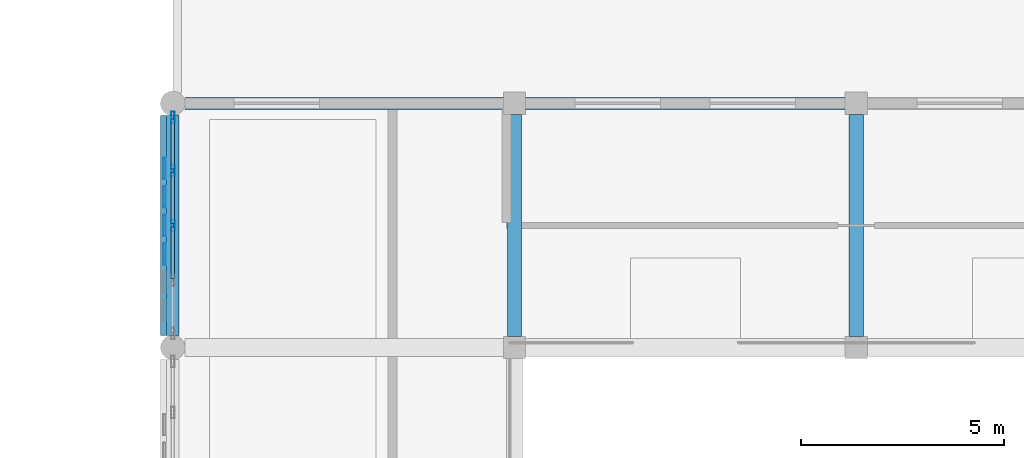
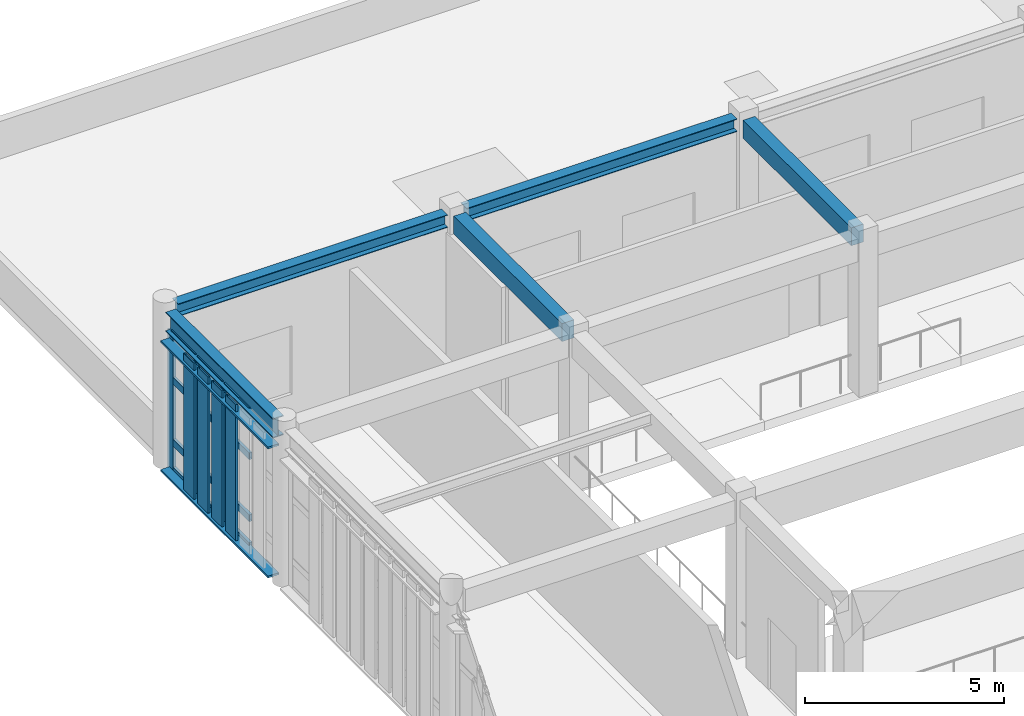
# One storey, part 31 of 77: 21 members, 5 beams, 1 element without a shape of its own.
"""IFC4 building model written with IfcOpenShell, lengths in metres."""

from ifc_helpers import new_model, si_unit, direction, frame, origin, origin_2d, place, context, subcontext, project, spatial, rectangle, hollow_rectangle, i_section, extrude, material, layer, layer_set, material_profile, profile_set, type_object, element, aggregate, save


model = new_model("IFC4")

# Units and contexts
model_context = context("Model", 3, precision=1e-05, world=origin(), true_north=direction((0.0, 1.0)))
body_context = subcontext(model_context, "Body", "Model", "MODEL_VIEW")
ifc_project = project(units=[si_unit("LENGTHUNIT", "METRE"), si_unit("AREAUNIT", "SQUARE_METRE"), si_unit("VOLUMEUNIT", "CUBIC_METRE"), si_unit("PLANEANGLEUNIT", "RADIAN"), si_unit("MASSUNIT", "GRAM", prefix="KILO")], contexts=[model_context])

# Site, building, storey
site_placement = place(None, origin())
site = spatial("IfcSite", under=ifc_project, at=site_placement, CompositionType="ELEMENT")
building_placement = place(site_placement, origin())
building = spatial("IfcBuilding", under=site, at=building_placement, Name="Krzemoval Escarpment Law Courts", CompositionType="ELEMENT")
storey_placement = place(building_placement, frame((0.0, 0.0, 15.300048828125)))
storey = spatial("IfcBuildingStorey", under=building, at=storey_placement, Name="L03", CompositionType="ELEMENT", Elevation=15.300048828125)

# Beams
ifc_material_1 = material(Name="Concrete C40/50", Category="concrete")
ifc_material_profile_1 = material_profile(ifc_material_1, rectangle(XDim=0.35009765625, YDim=0.550048828125, at=origin_2d()), Name="RCB 350x550")
ifc_profile_set_1 = profile_set([ifc_material_profile_1], Name="Concrete C40/50")
beam_type_1 = type_object("IfcBeamType", Name="BM-RC-350x550", PredefinedType="BEAM", material=ifc_profile_set_1)
for number, where, z_axis, x_axis, name in (
    (1, (16.800048828125, 93.875, 4.56494140625), (0.0, 1.0, 0.0), (-1.0, 0.0, 0.0), "Beam FG-L03-2239"),
    (2, (25.199951171875, 93.875, 4.56494140625), (0.0, 1.0, 0.0), (-1.0, 0.0, 0.0), "Beam FG-L03-2245"),
):
    element("IfcBeam", number, at=place(storey_placement, frame(where, z_axis=z_axis, x_axis=x_axis)), inside=storey, type_object=beam_type_1, Name=name, PredefinedType="BEAM", context=body_context, shape_type="SweptSolid", body=[
        extrude(rectangle(XDim=0.35009765625, YDim=0.550048828125, at=origin_2d()), origin(), (0.0, 0.0, 1.0), 5.449951171875),
    ])

# Curtain wall, members
ifc_material_2 = material(Name="Aluminium 6063-T6", Category="aluminium")
ifc_layer = layer(ifc_material_2, 0.280029296875)
ifc_layer_set = layer_set([ifc_layer], Name="Aluminium 6063-T6")
curtain_wall_type = type_object("IfcCurtainWallType", Name="CW-HALL-5100", PredefinedType="USERDEFINED", material=ifc_layer_set)
curtain_wall_placement = place(storey_placement, origin())
curtain_wall = element("IfcCurtainWall", 3, at=curtain_wall_placement, inside=storey, type_object=curtain_wall_type, Name="Unitised Curtain Wall FCW-L03-104", ObjectType="UNITISED_CURTAIN_WALL", PredefinedType="USERDEFINED")
ifc_material_3 = material(Name="Aluminium 6063-T6", Category="aluminium")
ifc_material_profile_2 = material_profile(ifc_material_3, hollow_rectangle(XDim=0.0849609375, YDim=0.280029296875, WallThickness=0.005615234375, at=origin_2d()), Name="ALU M85x280")
ifc_profile_set_2 = profile_set([ifc_material_profile_2], Name="Aluminium 6063-T6")
member_type_1 = type_object("IfcMemberType", Name="CWM-85x280", PredefinedType="MULLION", material=ifc_profile_set_2)
member_1_placement = place(storey_placement, frame((8.39990234375, 96.60009765625, 0.0), z_axis=(0.0, 0.0, 1.0), x_axis=(-1.0, 0.0, 0.0)))
member_1 = element("IfcMember", 4, at=member_1_placement, type_object=member_type_1, Name="FCW-L03-104 mullion 3", PredefinedType="MULLION", context=body_context, shape_type="SweptSolid", body=[
    extrude(hollow_rectangle(XDim=0.0849609375, YDim=0.280029296875, WallThickness=0.005615234375, at=origin_2d()), origin(), (0.0, 0.0, 1.0), 4.239990234375),
])
member_2_placement = place(storey_placement, frame((8.39990234375, 97.949951171875, 0.0), z_axis=(0.0, 0.0, 1.0), x_axis=(-1.0, 0.0, 0.0)))
member_2 = element("IfcMember", 5, at=member_2_placement, type_object=member_type_1, Name="FCW-L03-104 mullion 4", PredefinedType="MULLION", context=body_context, shape_type="SweptSolid", body=[
    extrude(hollow_rectangle(XDim=0.0849609375, YDim=0.280029296875, WallThickness=0.005615234375, at=origin_2d()), origin(), (0.0, 0.0, 1.0), 4.239990234375),
])
member_3_placement = place(storey_placement, frame((8.39990234375, 99.257568359375, 0.0), z_axis=(0.0, 0.0, 1.0), x_axis=(-1.0, 0.0, 0.0)))
member_3 = element("IfcMember", 6, at=member_3_placement, type_object=member_type_1, Name="FCW-L03-104 mullion 5", PredefinedType="MULLION", context=body_context, shape_type="SweptSolid", body=[
    extrude(hollow_rectangle(XDim=0.0849609375, YDim=0.280029296875, WallThickness=0.005615234375, at=origin_2d()), origin(), (0.0, 0.0, 1.0), 4.239990234375),
])
ifc_material_4 = material(Name="Aluminium 6063-T6", Category="aluminium")
ifc_material_profile_3 = material_profile(ifc_material_4, hollow_rectangle(XDim=0.0849609375, YDim=0.2099609375, WallThickness=0.005615234375, at=origin_2d()), Name="ALU T85x210")
ifc_profile_set_3 = profile_set([ifc_material_profile_3], Name="Aluminium 6063-T6")
member_type_2 = type_object("IfcMemberType", Name="CWT-85x210", PredefinedType="USERDEFINED", material=ifc_profile_set_3)
member_4_placement = place(storey_placement, frame((8.39990234375, 95.29248046875, 0.04248046875), z_axis=(0.0, 1.0, 0.0), x_axis=(-1.0, 0.0, 0.0)))
member_4 = element("IfcMember", 7, at=member_4_placement, type_object=member_type_2, Name="FCW-L03-104 transom 2.1", ObjectType="TRANSOM", PredefinedType="USERDEFINED", context=body_context, shape_type="SweptSolid", body=[
    extrude(hollow_rectangle(XDim=0.0849609375, YDim=0.2099609375, WallThickness=0.005615234375, at=origin_2d()), origin(), (0.0, 0.0, 1.0), 1.26513671875),
])
member_5_placement = place(storey_placement, frame((8.39990234375, 95.29248046875, 0.89990234375), z_axis=(0.0, 1.0, 0.0), x_axis=(-1.0, 0.0, 0.0)))
member_5 = element("IfcMember", 8, at=member_5_placement, type_object=member_type_2, Name="FCW-L03-104 transom 2.2", ObjectType="TRANSOM", PredefinedType="USERDEFINED", context=body_context, shape_type="SweptSolid", body=[
    extrude(hollow_rectangle(XDim=0.0849609375, YDim=0.2099609375, WallThickness=0.005615234375, at=origin_2d()), origin(), (0.0, 0.0, 1.0), 1.26513671875),
])
member_6_placement = place(storey_placement, frame((8.39990234375, 95.29248046875, 2.800048828125), z_axis=(0.0, 1.0, 0.0), x_axis=(-1.0, 0.0, 0.0)))
member_6 = element("IfcMember", 9, at=member_6_placement, type_object=member_type_2, Name="FCW-L03-104 transom 2.3", ObjectType="TRANSOM", PredefinedType="USERDEFINED", context=body_context, shape_type="SweptSolid", body=[
    extrude(hollow_rectangle(XDim=0.0849609375, YDim=0.2099609375, WallThickness=0.005615234375, at=origin_2d()), origin(), (0.0, 0.0, 1.0), 1.26513671875),
])
member_7_placement = place(storey_placement, frame((8.39990234375, 95.29248046875, 4.197509765625), z_axis=(0.0, 1.0, 0.0), x_axis=(-1.0, 0.0, 0.0)))
member_7 = element("IfcMember", 10, at=member_7_placement, type_object=member_type_2, Name="FCW-L03-104 transom 2.4", ObjectType="TRANSOM", PredefinedType="USERDEFINED", context=body_context, shape_type="SweptSolid", body=[
    extrude(hollow_rectangle(XDim=0.0849609375, YDim=0.2099609375, WallThickness=0.005615234375, at=origin_2d()), origin(), (0.0, 0.0, 1.0), 1.26513671875),
])
member_8_placement = place(storey_placement, frame((8.39990234375, 96.642578125, 0.04248046875), z_axis=(0.0, 1.0, 0.0), x_axis=(-1.0, 0.0, 0.0)))
member_8 = element("IfcMember", 11, at=member_8_placement, type_object=member_type_2, Name="FCW-L03-104 transom 3.1", ObjectType="TRANSOM", PredefinedType="USERDEFINED", context=body_context, shape_type="SweptSolid", body=[
    extrude(hollow_rectangle(XDim=0.0849609375, YDim=0.2099609375, WallThickness=0.005615234375, at=origin_2d()), origin(), (0.0, 0.0, 1.0), 1.264892578125),
])
member_9_placement = place(storey_placement, frame((8.39990234375, 96.642578125, 0.89990234375), z_axis=(0.0, 1.0, 0.0), x_axis=(-1.0, 0.0, 0.0)))
member_9 = element("IfcMember", 12, at=member_9_placement, type_object=member_type_2, Name="FCW-L03-104 transom 3.2", ObjectType="TRANSOM", PredefinedType="USERDEFINED", context=body_context, shape_type="SweptSolid", body=[
    extrude(hollow_rectangle(XDim=0.0849609375, YDim=0.2099609375, WallThickness=0.005615234375, at=origin_2d()), origin(), (0.0, 0.0, 1.0), 1.264892578125),
])
member_10_placement = place(storey_placement, frame((8.39990234375, 96.642578125, 2.800048828125), z_axis=(0.0, 1.0, 0.0), x_axis=(-1.0, 0.0, 0.0)))
member_10 = element("IfcMember", 13, at=member_10_placement, type_object=member_type_2, Name="FCW-L03-104 transom 3.3", ObjectType="TRANSOM", PredefinedType="USERDEFINED", context=body_context, shape_type="SweptSolid", body=[
    extrude(hollow_rectangle(XDim=0.0849609375, YDim=0.2099609375, WallThickness=0.005615234375, at=origin_2d()), origin(), (0.0, 0.0, 1.0), 1.264892578125),
])
member_11_placement = place(storey_placement, frame((8.39990234375, 96.642578125, 4.197509765625), z_axis=(0.0, 1.0, 0.0), x_axis=(-1.0, 0.0, 0.0)))
member_11 = element("IfcMember", 14, at=member_11_placement, type_object=member_type_2, Name="FCW-L03-104 transom 3.4", ObjectType="TRANSOM", PredefinedType="USERDEFINED", context=body_context, shape_type="SweptSolid", body=[
    extrude(hollow_rectangle(XDim=0.0849609375, YDim=0.2099609375, WallThickness=0.005615234375, at=origin_2d()), origin(), (0.0, 0.0, 1.0), 1.264892578125),
])
member_12_placement = place(storey_placement, frame((8.39990234375, 97.992431640625, 0.04248046875), z_axis=(0.0, 1.0, 0.0), x_axis=(-1.0, 0.0, 0.0)))
member_12 = element("IfcMember", 15, at=member_12_placement, type_object=member_type_2, Name="FCW-L03-104 transom 4.1", ObjectType="TRANSOM", PredefinedType="USERDEFINED", context=body_context, shape_type="SweptSolid", body=[
    extrude(hollow_rectangle(XDim=0.0849609375, YDim=0.2099609375, WallThickness=0.005615234375, at=origin_2d()), origin(), (0.0, 0.0, 1.0), 1.22265625),
])
member_13_placement = place(storey_placement, frame((8.39990234375, 97.992431640625, 0.89990234375), z_axis=(0.0, 1.0, 0.0), x_axis=(-1.0, 0.0, 0.0)))
member_13 = element("IfcMember", 16, at=member_13_placement, type_object=member_type_2, Name="FCW-L03-104 transom 4.2", ObjectType="TRANSOM", PredefinedType="USERDEFINED", context=body_context, shape_type="SweptSolid", body=[
    extrude(hollow_rectangle(XDim=0.0849609375, YDim=0.2099609375, WallThickness=0.005615234375, at=origin_2d()), origin(), (0.0, 0.0, 1.0), 1.22265625),
])
member_14_placement = place(storey_placement, frame((8.39990234375, 97.992431640625, 2.800048828125), z_axis=(0.0, 1.0, 0.0), x_axis=(-1.0, 0.0, 0.0)))
member_14 = element("IfcMember", 17, at=member_14_placement, type_object=member_type_2, Name="FCW-L03-104 transom 4.3", ObjectType="TRANSOM", PredefinedType="USERDEFINED", context=body_context, shape_type="SweptSolid", body=[
    extrude(hollow_rectangle(XDim=0.0849609375, YDim=0.2099609375, WallThickness=0.005615234375, at=origin_2d()), origin(), (0.0, 0.0, 1.0), 1.22265625),
])
member_15_placement = place(storey_placement, frame((8.39990234375, 97.992431640625, 4.197509765625), z_axis=(0.0, 1.0, 0.0), x_axis=(-1.0, 0.0, 0.0)))
member_15 = element("IfcMember", 18, at=member_15_placement, type_object=member_type_2, Name="FCW-L03-104 transom 4.4", ObjectType="TRANSOM", PredefinedType="USERDEFINED", context=body_context, shape_type="SweptSolid", body=[
    extrude(hollow_rectangle(XDim=0.0849609375, YDim=0.2099609375, WallThickness=0.005615234375, at=origin_2d()), origin(), (0.0, 0.0, 1.0), 1.22265625),
])
aggregate(curtain_wall, [member_1, member_2, member_3, member_4, member_5, member_6, member_7, member_8, member_9, member_10, member_11, member_12, member_13, member_14, member_15])

# Members
ifc_material_5 = material(Name="Anodised Aluminium Alloy 6063-T6", Category="aluminium")
ifc_material_profile_4 = material_profile(ifc_material_5, hollow_rectangle(XDim=0.06005859375, YDim=0.320068359375, WallThickness=0.00390625, at=origin_2d()), Name="ALU LVR 60x320")
ifc_profile_set_4 = profile_set([ifc_material_profile_4], Name="Anodised Aluminium Alloy 6063-T6")
member_type_3 = type_object("IfcMemberType", Name="LVR-ALU-320", PredefinedType="USERDEFINED", material=ifc_profile_set_4)
for number, where, z_axis, x_axis, name in (
    (19, (8.260009765625, 93.89990234375, 0.030029296875), (0.0, 1.0, 0.0), (0.0, 0.0, 1.0), "Sunshade Support Rail FSR-L03-0682"),
    (20, (8.260009765625, 93.89990234375, 3.989990234375), (0.0, 1.0, 0.0), (0.0, 0.0, 1.0), "Sunshade Support Rail FSR-L03-0683"),
):
    element("IfcMember", number, at=place(storey_placement, frame(where, z_axis=z_axis, x_axis=x_axis)), inside=storey, type_object=member_type_3, Name=name, ObjectType="SUNSHADE_LOUVRE", PredefinedType="USERDEFINED", context=body_context, shape_type="SweptSolid", body=[
        extrude(hollow_rectangle(XDim=0.06005859375, YDim=0.320068359375, WallThickness=0.00390625, at=origin_2d()), origin(), (0.0, 0.0, 1.0), 5.400146484375),
    ])
ifc_material_6 = material(Name="Anodised Aluminium Alloy 6063-T6", Category="aluminium")
ifc_material_profile_5 = material_profile(ifc_material_6, hollow_rectangle(XDim=0.06494140625, YDim=0.52001953125, WallThickness=0.00439453125, at=origin_2d()), Name="ALU LVR 65x520")
ifc_profile_set_5 = profile_set([ifc_material_profile_5], Name="Anodised Aluminium Alloy 6063-T6")
member_type_4 = type_object("IfcMemberType", Name="LVR-ALU-520", PredefinedType="USERDEFINED", material=ifc_profile_set_5)
for number, where, z_axis, x_axis, name in (
    (21, (8.199951171875, 95.89990234375, 0.06005859375), (0.0, 0.0, 1.0), (1.0, 0.0, 0.0), "Sunshade Louvre Fin FLV-L03-0686"),
    (22, (8.199951171875, 96.60009765625, 0.06005859375), (0.0, 0.0, 1.0), (1.0, 0.0, 0.0), "Sunshade Louvre Fin FLV-L03-0687"),
    (23, (8.199951171875, 97.300048828125, 0.06005859375), (0.0, 0.0, 1.0), (1.0, 0.0, 0.0), "Sunshade Louvre Fin FLV-L03-0688"),
    (24, (8.199951171875, 98.0, 0.06005859375), (0.0, 0.0, 1.0), (1.0, 0.0, 0.0), "Sunshade Louvre Fin FLV-L03-0689"),
):
    element("IfcMember", number, at=place(storey_placement, frame(where, z_axis=z_axis, x_axis=x_axis)), inside=storey, type_object=member_type_4, Name=name, ObjectType="SUNSHADE_LOUVRE", PredefinedType="USERDEFINED", context=body_context, shape_type="SweptSolid", body=[
        extrude(hollow_rectangle(XDim=0.06494140625, YDim=0.52001953125, WallThickness=0.00439453125, at=origin_2d()), origin(), (0.0, 0.0, 1.0), 4.179931640625),
    ])

# Beams
ifc_material_7 = material(Name="Steel S355", Category="steel")
ifc_material_profile_6 = material_profile(ifc_material_7, i_section(OverallWidth=0.300048828125, OverallDepth=0.389892578125, WebThickness=0.010986328125, FlangeThickness=0.01904296875, at=origin_2d()), Name="HEA 400")
ifc_profile_set_6 = profile_set([ifc_material_profile_6], Name="Steel S355")
beam_type_2 = type_object("IfcBeamType", Name="SPN-S355-HEA400", PredefinedType="SPANDREL", material=ifc_profile_set_6)
beam_1_placement = place(storey_placement, frame((8.699951171875, 99.60009765625, 4.64501953125), z_axis=(1.0, 0.0, 0.0), x_axis=(0.0, 1.0, 0.0)))
element("IfcBeam", 25, at=beam_1_placement, inside=storey, type_object=beam_type_2, Name="Beam FG-L03-2189", PredefinedType="SPANDREL", context=body_context, shape_type="SweptSolid", body=[
    extrude(i_section(OverallWidth=0.300048828125, OverallDepth=0.389892578125, WebThickness=0.010986328125, FlangeThickness=0.01904296875, at=origin_2d()), origin(), (0.0, 0.0, 1.0), 7.824951171875),
])
beam_2_placement = place(storey_placement, frame((17.074951171875, 99.60009765625, 4.64501953125), z_axis=(1.0, 0.0, 0.0), x_axis=(0.0, 1.0, 0.0)))
element("IfcBeam", 26, at=beam_2_placement, inside=storey, type_object=beam_type_2, Name="Beam FG-L03-2190", PredefinedType="SPANDREL", context=body_context, shape_type="SweptSolid", body=[
    extrude(i_section(OverallWidth=0.300048828125, OverallDepth=0.389892578125, WebThickness=0.010986328125, FlangeThickness=0.01904296875, at=origin_2d()), origin(), (0.0, 0.0, 1.0), 7.85009765625),
])
ifc_material_8 = material(Name="Steel S355", Category="steel")
ifc_material_profile_7 = material_profile(ifc_material_8, i_section(OverallWidth=0.300048828125, OverallDepth=0.60009765625, WebThickness=0.015380859375, FlangeThickness=0.030029296875, at=origin_2d()), Name="HEB 600")
ifc_profile_set_7 = profile_set([ifc_material_profile_7], Name="Steel S355")
beam_type_3 = type_object("IfcBeamType", Name="SPN-S355-HEB600", PredefinedType="SPANDREL", material=ifc_profile_set_7)
beam_3_placement = place(storey_placement, frame((8.39990234375, 93.89990234375, 4.5400390625), z_axis=(0.0, 1.0, 0.0), x_axis=(-1.0, 0.0, 0.0)))
element("IfcBeam", 27, at=beam_3_placement, inside=storey, type_object=beam_type_3, Name="Beam FG-L03-2230", PredefinedType="SPANDREL", context=body_context, shape_type="SweptSolid", body=[
    extrude(i_section(OverallWidth=0.300048828125, OverallDepth=0.60009765625, WebThickness=0.015380859375, FlangeThickness=0.030029296875, at=origin_2d()), origin(), (0.0, 0.0, 1.0), 5.400146484375),
])

save(model, "model.ifc")
